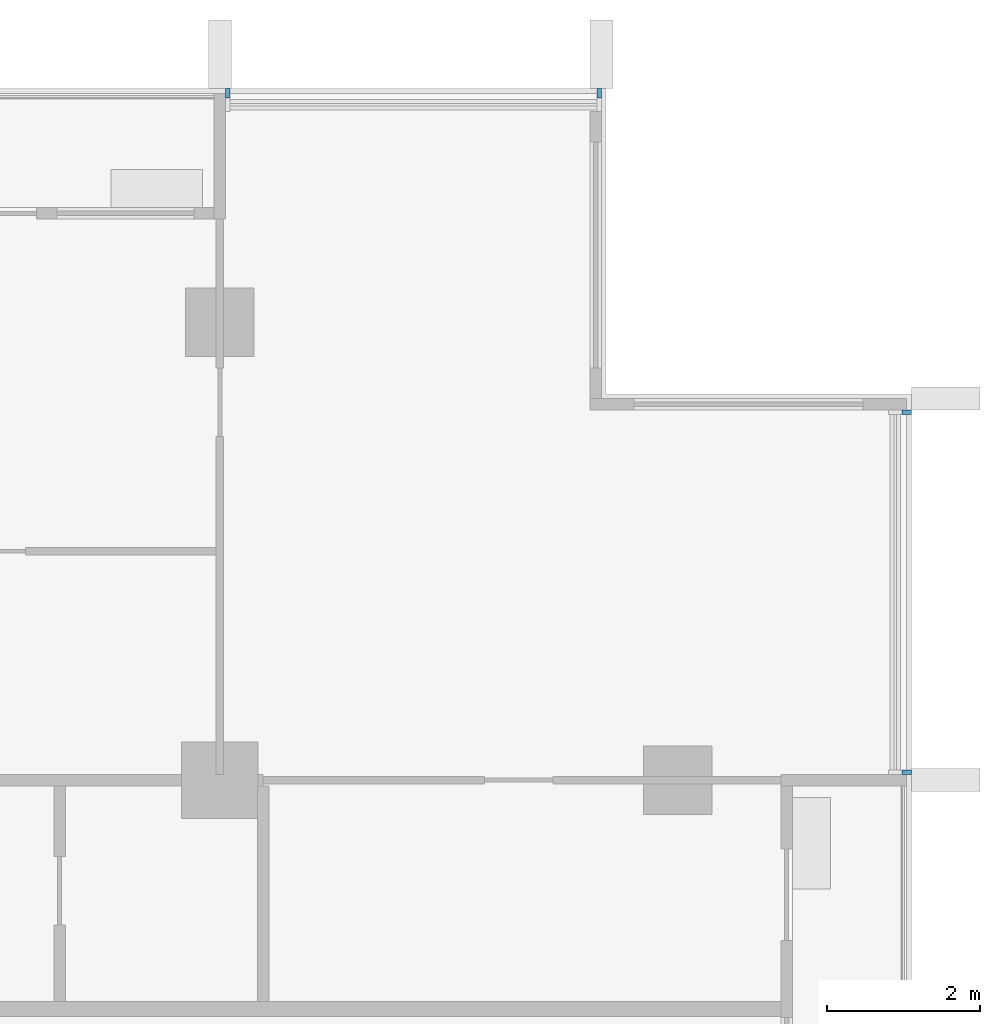
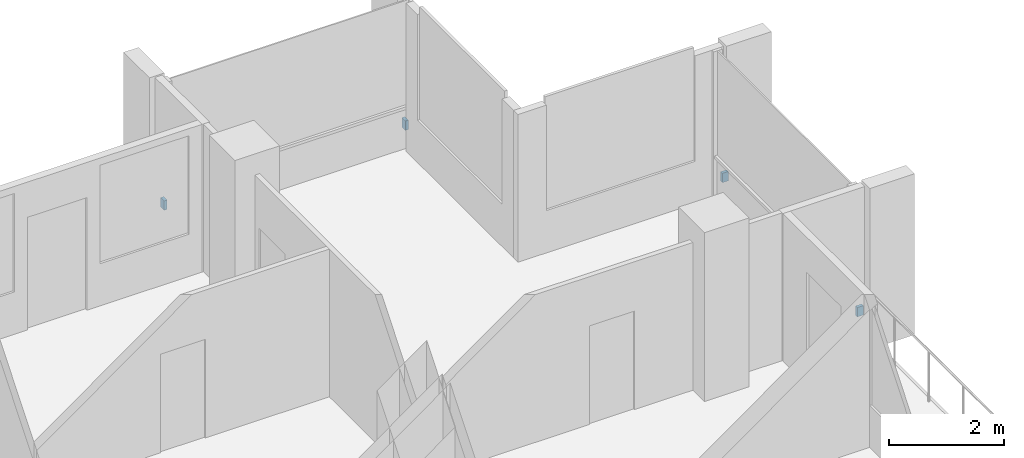
# One storey, part 16 of 17: 4 discrete accessories.
"""IFC4 building model written with IfcOpenShell, lengths in metres."""

from ifc_helpers import new_model, si_unit, direction, frame, origin, origin_2d, place, context, subcontext, project, spatial, rectangle, extrude, material, type_object, element, save


model = new_model("IFC4")

# Units and contexts
model_context = context("Model", 3, precision=1e-05, world=origin(), true_north=direction((0.0, 1.0)))
body_context = subcontext(model_context, "Body", "Model", "MODEL_VIEW")
ifc_project = project(units=[si_unit("LENGTHUNIT", "METRE"), si_unit("AREAUNIT", "SQUARE_METRE"), si_unit("VOLUMEUNIT", "CUBIC_METRE"), si_unit("PLANEANGLEUNIT", "RADIAN"), si_unit("MASSUNIT", "GRAM", prefix="KILO")], contexts=[model_context])

# Site, building, storey
site_placement = place(None, origin())
site = spatial("IfcSite", under=ifc_project, at=site_placement, CompositionType="ELEMENT")
building_placement = place(site_placement, origin())
building = spatial("IfcBuilding", under=site, at=building_placement, Name="Finial Court Residences", CompositionType="ELEMENT")
storey_placement = place(building_placement, frame((0.0, 0.0, 196.10009765625)))
storey = spatial("IfcBuildingStorey", under=building, at=storey_placement, Name="L49", CompositionType="ELEMENT", Elevation=196.10009765625)

# Discrete accessories
ifc_material = material(Name="Stainless steel 316", Category="steel")
discrete_accessory_type = type_object("IfcDiscreteAccessoryType", Name="Fin bracket, stainless steel 60 x 122 x 200", PredefinedType="BRACKET", material=ifc_material)
for number, where, z_axis, x_axis, name in (
    (1, (10.60498046875, 22.498779296875, 0.2998046875), (0.0, 0.0, 1.0), (1.0, 0.0, 0.0), "E-L49-FIN-N5-BRK"),
    (2, (15.469970703125, 22.498779296875, 0.2998046875), (0.0, 0.0, 1.0), (1.0, 0.0, 0.0), "E-L49-FIN-N6-BRK"),
):
    element("IfcDiscreteAccessory", number, at=place(storey_placement, frame(where, z_axis=z_axis, x_axis=x_axis)), inside=storey, type_object=discrete_accessory_type, Name=name, PredefinedType="BRACKET", context=body_context, shape_type="SweptSolid", body=[
        extrude(rectangle(XDim=0.06005859375, YDim=0.12255859375, at=origin_2d()), origin(), (0.0, 0.0, 1.0), 0.199951171875),
    ])
for number, where, z_axis, x_axis, name in (
    (3, (19.498779296875, 13.60498046875, 0.2998046875), (0.0, 0.0, 1.0), (1.0, 0.0, 0.0), "E-L49-FIN-E12-BRK"),
    (4, (19.498779296875, 18.320068359375, 0.2998046875), (0.0, 0.0, 1.0), (1.0, 0.0, 0.0), "E-L49-FIN-E13-BRK"),
):
    element("IfcDiscreteAccessory", number, at=place(storey_placement, frame(where, z_axis=z_axis, x_axis=x_axis)), inside=storey, type_object=discrete_accessory_type, Name=name, PredefinedType="BRACKET", context=body_context, shape_type="SweptSolid", body=[
        extrude(rectangle(XDim=0.12255859375, YDim=0.06005859375, at=origin_2d()), origin(), (0.0, 0.0, 1.0), 0.199951171875),
    ])

save(model, "model.ifc")
